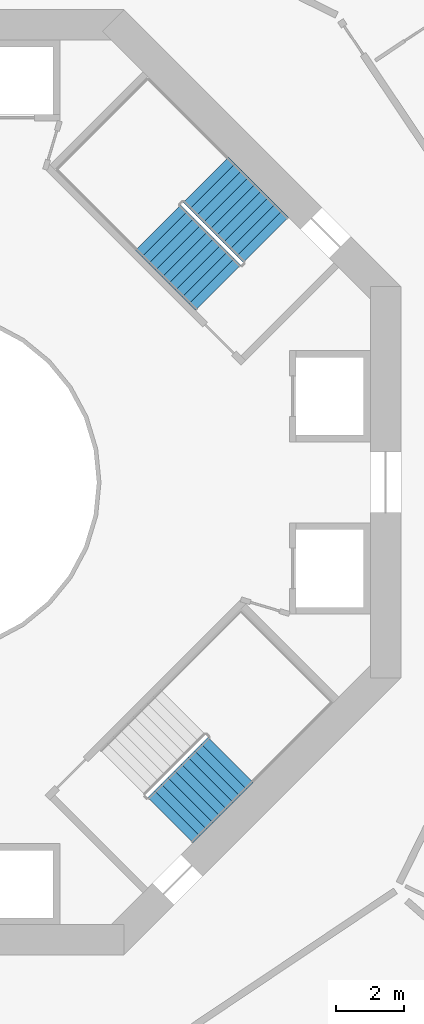
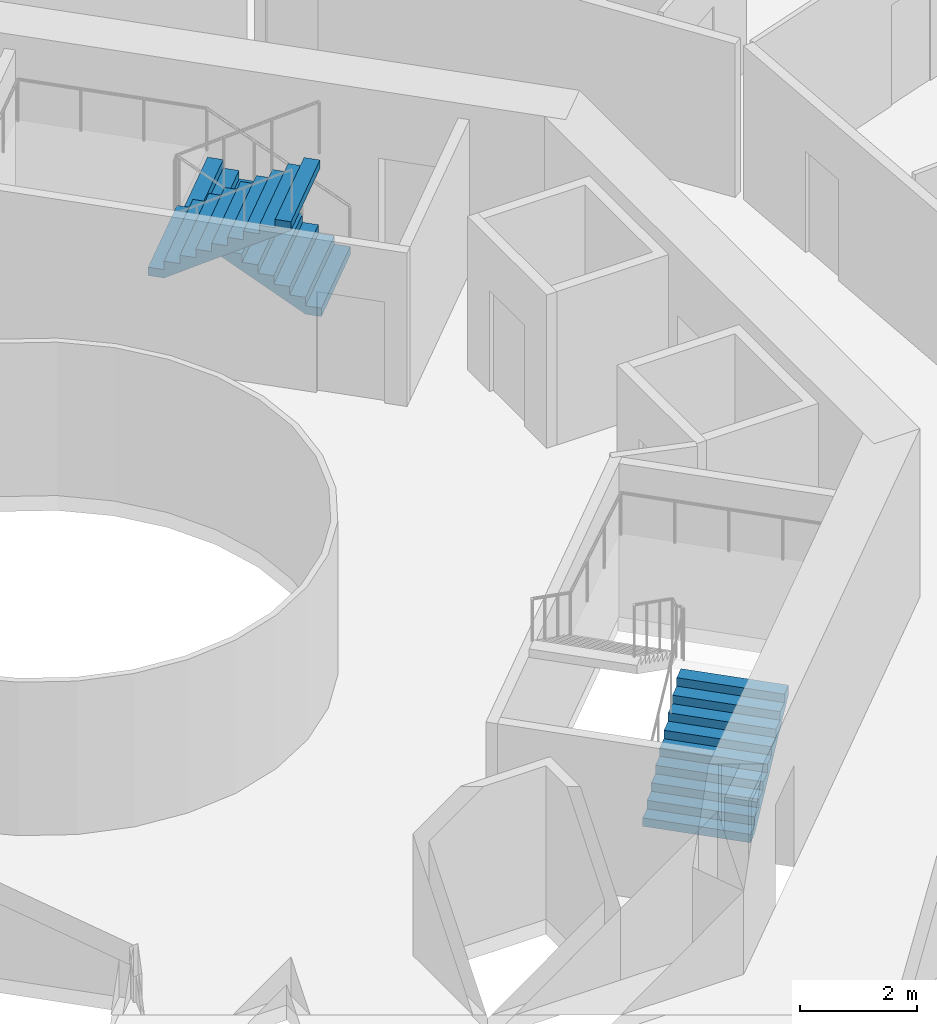
# One storey, part 24 of 25: 3 stair flights, 2 elements without a shape of their own.
"""IFC4 building model written with IfcOpenShell, lengths in metres."""

from ifc_helpers import new_model, si_unit, direction, frame, origin, place, context, subcontext, project, spatial, triangles, material, type_object, element, aggregate, save


model = new_model("IFC4")

# Units and contexts
model_context = context("Model", 3, precision=1e-05, world=origin(), true_north=direction((0.0, 1.0)))
body_context = subcontext(model_context, "Body", "Model", "MODEL_VIEW")
ifc_project = project(units=[si_unit("LENGTHUNIT", "METRE"), si_unit("AREAUNIT", "SQUARE_METRE"), si_unit("VOLUMEUNIT", "CUBIC_METRE"), si_unit("PLANEANGLEUNIT", "RADIAN"), si_unit("MASSUNIT", "GRAM", prefix="KILO")], contexts=[model_context])

# Site, building, storey
site_placement = place(None, origin())
site = spatial("IfcSite", under=ifc_project, at=site_placement, CompositionType="ELEMENT")
building_placement = place(site_placement, origin())
building = spatial("IfcBuilding", under=site, at=building_placement, Name="Verdalira Terraces Hotel", CompositionType="ELEMENT")
storey_placement = place(building_placement, frame((0.0, 0.0, 49.5)))
storey = spatial("IfcBuildingStorey", under=building, at=storey_placement, Name="L10", CompositionType="ELEMENT", Elevation=49.5)

# Stair, stair flights
ifc_material_1 = material(Name="Concrete C40", Category="concrete")
stair_type = type_object("IfcStairType", Name="Core stair 20 risers 1900 mm wide", PredefinedType="HALF_TURN_STAIR", material=ifc_material_1)
stair_1_placement = place(storey_placement, origin())
stair_1 = element("IfcStair", 1, at=stair_1_placement, inside=storey, type_object=stair_type, Name="L10 Exit stair ST1", PredefinedType="HALF_TURN_STAIR")
ifc_material_2 = material(Name="Concrete C40", Category="concrete")
stair_flight_type = type_object("IfcStairFlightType", Name="Core stair flight 20 risers 1900 mm wide", PredefinedType="STRAIGHT", material=ifc_material_2)
stair_flight_1_placement = place(storey_placement, frame((10.005615, 7.177246, 0.0), z_axis=(0.0, 0.0, 1.0), x_axis=(-0.707106781, 0.707106781, 0.0)))
stair_flight_1 = element("IfcStairFlight", 2, at=stair_flight_1_placement, type_object=stair_flight_type, Name="ST1 flight 1", NumberOfRisers=10, NumberOfTreads=9, PredefinedType="STRAIGHT", RiserHeight=0.175, TreadLength=0.28, context=body_context, shape_type="Tessellation", body=[
    triangles([(0.0, 0.949951, 0.0), (0.282715, 0.949951, 0.0), (2.52002, 0.949951, 1.398193), (0.0, -0.949951, 0.0), (0.282715, -0.949951, 0.0), (2.52002, -0.949951, 1.398193), (2.52002, 0.949951, 1.574951), (2.23999, 0.949951, 1.574951), (2.52002, -0.949951, 1.574951), (2.23999, -0.949951, 1.574951), (2.23999, 0.949951, 1.399902), (2.23999, -0.949951, 1.399902), (1.959961, 0.949951, 1.399902), (1.959961, -0.949951, 1.399902), (1.959961, 0.949951, 1.225098), (1.959961, -0.949951, 1.225098), (1.679932, 0.949951, 1.225098), (1.679932, 0.949951, 1.050049), (1.679932, -0.949951, 1.225098), (1.679932, -0.949951, 1.050049), (1.399902, 0.949951, 1.050049), (1.399902, 0.949951, 0.875), (1.399902, -0.949951, 1.050049), (1.399902, -0.949951, 0.875), (1.120117, 0.949951, 0.875), (1.120117, 0.949951, 0.699951), (1.120117, -0.949951, 0.875), (1.120117, -0.949951, 0.699951), (0.840088, 0.949951, 0.699951), (0.840088, 0.949951, 0.524902), (0.840088, -0.949951, 0.699951), (0.840088, -0.949951, 0.524902), (0.560059, 0.949951, 0.524902), (0.560059, 0.949951, 0.350098), (0.560059, -0.949951, 0.524902), (0.560059, -0.949951, 0.350098), (0.280029, 0.949951, 0.350098), (0.280029, 0.949951, 0.175049), (0.280029, -0.949951, 0.350098), (0.280029, -0.949951, 0.175049), (0.0, 0.949951, 0.175049), (0.0, -0.949951, 0.175049), (0.0, -0.890579, 0.0), (0.0, -0.890579, 0.175049), (0.0, -0.831207, 0.0), (0.0, -0.831207, 0.175049), (0.0, -0.771835, 0.0), (0.0, -0.771835, 0.175049), (0.0, -0.712463, 0.0), (0.0, -0.712463, 0.175049), (0.0, -0.653091, 0.0), (0.0, -0.653091, 0.175049), (0.0, -0.593719, 0.0), (0.0, -0.593719, 0.175049), (0.0, -0.534348, 0.0), (0.0, -0.534348, 0.175049), (0.0, -0.474976, 0.0), (0.0, -0.474976, 0.175049), (0.0, -0.415604, 0.0), (0.0, -0.415604, 0.175049), (0.0, -0.356232, 0.0), (0.0, -0.356232, 0.175049), (0.0, -0.29686, 0.0), (0.0, -0.29686, 0.175049), (0.0, -0.237488, 0.0), (0.0, -0.237488, 0.175049), (0.0, -0.178116, 0.0), (0.0, -0.178116, 0.175049), (0.0, -0.118744, 0.0), (0.0, -0.118744, 0.175049), (0.0, -0.059372, 0.0), (0.0, -0.059372, 0.175049), (0.0, 0.0, 0.0), (0.0, 0.0, 0.175049), (0.0, 0.059372, 0.0), (0.0, 0.059372, 0.175049), (0.0, 0.118744, 0.0), (0.0, 0.118744, 0.175049), (0.0, 0.178116, 0.0), (0.0, 0.178116, 0.175049), (0.0, 0.237488, 0.0), (0.0, 0.237488, 0.175049), (0.0, 0.29686, 0.0), (0.0, 0.29686, 0.175049), (0.0, 0.356232, 0.0), (0.0, 0.356232, 0.175049), (0.0, 0.415604, 0.0), (0.0, 0.415604, 0.175049), (0.0, 0.474976, 0.0), (0.0, 0.474976, 0.175049), (0.0, 0.534348, 0.0), (0.0, 0.534348, 0.175049), (0.0, 0.593719, 0.0), (0.0, 0.593719, 0.175049), (0.0, 0.653091, 0.0), (0.0, 0.653091, 0.175049), (0.0, 0.712463, 0.0), (0.0, 0.712463, 0.175049), (0.0, 0.771835, 0.0), (0.0, 0.771835, 0.175049), (0.0, 0.831207, 0.0), (0.0, 0.831207, 0.175049), (0.0, 0.890579, 0.0), (0.0, 0.890579, 0.175049), (2.52002, -0.890579, 1.574951), (2.52002, -0.831207, 1.574951), (2.52002, -0.771835, 1.574951), (2.52002, -0.712463, 1.574951), (2.52002, -0.653091, 1.574951), (2.52002, -0.593719, 1.574951), (2.52002, -0.534348, 1.574951), (2.52002, -0.474976, 1.574951), (2.52002, -0.415604, 1.574951), (2.52002, -0.356232, 1.574951), (2.52002, -0.29686, 1.574951), (2.52002, -0.237488, 1.574951), (2.52002, -0.178116, 1.574951), (2.52002, -0.118744, 1.574951), (2.52002, -0.059372, 1.574951), (2.52002, 0.0, 1.574951), (2.52002, 0.059372, 1.574951), (2.52002, 0.118744, 1.574951), (2.52002, 0.178116, 1.574951), (2.52002, 0.237488, 1.574951), (2.52002, 0.29686, 1.574951), (2.52002, 0.356232, 1.574951), (2.52002, 0.415604, 1.574951), (2.52002, 0.474976, 1.574951), (2.52002, 0.534348, 1.574951), (2.52002, 0.593719, 1.574951), (2.52002, 0.653091, 1.574951), (2.52002, 0.712463, 1.574951), (2.52002, 0.771835, 1.574951), (2.52002, 0.831207, 1.574951), (2.52002, 0.890579, 1.574951), (2.52002, -0.890579, 1.398193), (2.52002, -0.831207, 1.398193), (2.52002, -0.771835, 1.398193), (2.52002, -0.712463, 1.398193), (2.52002, -0.653091, 1.398193), (2.52002, -0.593719, 1.398193), (2.52002, -0.534348, 1.398193), (2.52002, -0.474976, 1.398193), (2.52002, -0.415604, 1.398193), (2.52002, -0.356232, 1.398193), (2.52002, -0.29686, 1.398193), (2.52002, -0.237488, 1.398193), (2.52002, -0.178116, 1.398193), (2.52002, -0.118744, 1.398193), (2.52002, -0.059372, 1.398193), (2.52002, 0.0, 1.398193), (2.52002, 0.059372, 1.398193), (2.52002, 0.118744, 1.398193), (2.52002, 0.178116, 1.398193), (2.52002, 0.237488, 1.398193), (2.52002, 0.29686, 1.398193), (2.52002, 0.356232, 1.398193), (2.52002, 0.415604, 1.398193), (2.52002, 0.474976, 1.398193), (2.52002, 0.534348, 1.398193), (2.52002, 0.593719, 1.398193), (2.52002, 0.653091, 1.398193), (2.52002, 0.712463, 1.398193), (2.52002, 0.771835, 1.398193), (2.52002, 0.831207, 1.398193), (2.52002, 0.890579, 1.398193)], [[1, 3, 2], [4, 5, 6], [3, 8, 7], [6, 9, 10], [3, 11, 8], [6, 10, 12], [3, 13, 11], [6, 12, 14], [3, 15, 13], [6, 14, 16], [15, 18, 17], [16, 19, 20], [3, 18, 15], [6, 16, 20], [18, 22, 21], [20, 23, 24], [3, 22, 18], [6, 20, 24], [22, 26, 25], [24, 27, 28], [3, 26, 22], [6, 24, 28], [26, 30, 29], [28, 31, 32], [3, 30, 26], [6, 28, 32], [1, 30, 3], [4, 6, 32], [30, 34, 33], [32, 35, 36], [34, 38, 37], [36, 39, 40], [30, 38, 34], [32, 36, 40], [1, 38, 30], [4, 32, 40], [38, 1, 41], [40, 42, 4], [4, 44, 43], [4, 42, 44], [43, 46, 45], [43, 44, 46], [45, 48, 47], [45, 46, 48], [47, 50, 49], [47, 48, 50], [49, 52, 51], [49, 50, 52], [51, 54, 53], [51, 52, 54], [53, 56, 55], [53, 54, 56], [55, 58, 57], [55, 56, 58], [57, 60, 59], [57, 58, 60], [59, 62, 61], [59, 60, 62], [61, 64, 63], [61, 62, 64], [63, 66, 65], [63, 64, 66], [65, 68, 67], [65, 66, 68], [67, 70, 69], [67, 68, 70], [69, 72, 71], [69, 70, 72], [71, 74, 73], [71, 72, 74], [73, 76, 75], [73, 74, 76], [75, 78, 77], [75, 76, 78], [77, 80, 79], [77, 78, 80], [79, 82, 81], [79, 80, 82], [81, 84, 83], [81, 82, 84], [83, 86, 85], [83, 84, 86], [85, 88, 87], [85, 86, 88], [87, 90, 89], [87, 88, 90], [89, 92, 91], [89, 90, 92], [91, 94, 93], [91, 92, 94], [93, 96, 95], [93, 94, 96], [95, 98, 97], [95, 96, 98], [97, 100, 99], [97, 98, 100], [99, 102, 101], [99, 100, 102], [101, 104, 103], [101, 102, 104], [103, 41, 1], [103, 104, 41], [42, 40, 44], [44, 40, 46], [46, 40, 48], [48, 40, 50], [50, 40, 52], [52, 40, 54], [54, 40, 56], [56, 40, 58], [58, 40, 60], [60, 40, 62], [62, 40, 64], [64, 40, 66], [66, 40, 68], [68, 40, 70], [70, 40, 72], [72, 40, 74], [74, 40, 76], [76, 40, 78], [78, 40, 80], [80, 40, 82], [82, 40, 84], [84, 40, 86], [86, 40, 88], [88, 40, 90], [90, 40, 92], [92, 40, 94], [94, 40, 96], [96, 40, 98], [98, 40, 100], [100, 40, 102], [102, 40, 104], [104, 40, 41], [41, 40, 38], [40, 37, 38], [40, 39, 37], [39, 34, 37], [39, 36, 34], [36, 33, 34], [36, 35, 33], [35, 30, 33], [35, 32, 30], [32, 29, 30], [32, 31, 29], [31, 26, 29], [31, 28, 26], [28, 25, 26], [28, 27, 25], [27, 22, 25], [27, 24, 22], [24, 21, 22], [24, 23, 21], [23, 18, 21], [23, 20, 18], [20, 17, 18], [20, 19, 17], [19, 15, 17], [19, 16, 15], [16, 13, 15], [16, 14, 13], [14, 11, 13], [14, 12, 11], [12, 8, 11], [12, 10, 8], [9, 105, 10], [105, 106, 10], [106, 107, 10], [107, 108, 10], [108, 109, 10], [109, 110, 10], [110, 111, 10], [111, 112, 10], [112, 113, 10], [113, 114, 10], [114, 115, 10], [115, 116, 10], [116, 117, 10], [117, 118, 10], [118, 119, 10], [119, 120, 10], [120, 121, 10], [121, 122, 10], [122, 123, 10], [123, 124, 10], [124, 125, 10], [125, 126, 10], [126, 127, 10], [127, 128, 10], [128, 129, 10], [129, 130, 10], [130, 131, 10], [131, 132, 10], [132, 133, 10], [133, 134, 10], [134, 135, 10], [135, 7, 10], [7, 8, 10], [9, 136, 105], [9, 6, 136], [105, 137, 106], [105, 136, 137], [106, 138, 107], [106, 137, 138], [107, 139, 108], [107, 138, 139], [108, 140, 109], [108, 139, 140], [109, 141, 110], [109, 140, 141], [110, 142, 111], [110, 141, 142], [111, 143, 112], [111, 142, 143], [112, 144, 113], [112, 143, 144], [113, 145, 114], [113, 144, 145], [114, 146, 115], [114, 145, 146], [115, 147, 116], [115, 146, 147], [116, 148, 117], [116, 147, 148], [117, 149, 118], [117, 148, 149], [118, 150, 119], [118, 149, 150], [119, 151, 120], [119, 150, 151], [120, 152, 121], [120, 151, 152], [121, 153, 122], [121, 152, 153], [122, 154, 123], [122, 153, 154], [123, 155, 124], [123, 154, 155], [124, 156, 125], [124, 155, 156], [125, 157, 126], [125, 156, 157], [126, 158, 127], [126, 157, 158], [127, 159, 128], [127, 158, 159], [128, 160, 129], [128, 159, 160], [129, 161, 130], [129, 160, 161], [130, 162, 131], [130, 161, 162], [131, 163, 132], [131, 162, 163], [132, 164, 133], [132, 163, 164], [133, 165, 134], [133, 164, 165], [134, 166, 135], [134, 165, 166], [135, 3, 7], [135, 166, 3], [6, 5, 136], [136, 5, 137], [137, 5, 138], [138, 5, 139], [139, 5, 140], [140, 5, 141], [141, 5, 142], [142, 5, 143], [143, 5, 144], [144, 5, 145], [145, 5, 146], [146, 5, 147], [147, 5, 148], [148, 5, 149], [149, 5, 150], [150, 5, 151], [151, 5, 152], [152, 5, 153], [153, 5, 154], [154, 5, 155], [155, 5, 156], [156, 5, 157], [157, 5, 158], [158, 5, 159], [159, 5, 160], [160, 5, 161], [161, 5, 162], [162, 5, 163], [163, 5, 164], [164, 5, 165], [165, 5, 166], [166, 5, 3], [3, 5, 2], [4, 43, 5], [43, 45, 5], [45, 47, 5], [47, 49, 5], [49, 51, 5], [51, 53, 5], [53, 55, 5], [55, 57, 5], [57, 59, 5], [59, 61, 5], [61, 63, 5], [63, 65, 5], [65, 67, 5], [67, 69, 5], [69, 71, 5], [71, 73, 5], [73, 75, 5], [75, 77, 5], [77, 79, 5], [79, 81, 5], [81, 83, 5], [83, 85, 5], [85, 87, 5], [87, 89, 5], [89, 91, 5], [91, 93, 5], [93, 95, 5], [95, 97, 5], [97, 99, 5], [99, 101, 5], [101, 103, 5], [103, 1, 5], [1, 2, 5]], closed=True),
])
stair_flight_2_placement = place(storey_placement, frame((6.809326, 7.544922, 1.75), z_axis=(0.0, 0.0, 1.0), x_axis=(0.707106781, -0.707106781, 0.0)))
stair_flight_2 = element("IfcStairFlight", 3, at=stair_flight_2_placement, type_object=stair_flight_type, Name="ST1 flight 2", NumberOfRisers=10, NumberOfTreads=9, PredefinedType="STRAIGHT", RiserHeight=0.175, TreadLength=0.28, context=body_context, shape_type="Tessellation", body=[
    triangles([(0.0, 0.949951, 0.0), (0.282715, 0.949951, 0.0), (2.52002, 0.949951, 1.398193), (0.0, -0.949951, 0.0), (0.282715, -0.949951, 0.0), (2.52002, -0.949951, 1.398193), (2.52002, 0.949951, 1.574951), (2.23999, 0.949951, 1.574951), (2.52002, -0.949951, 1.574951), (2.23999, -0.949951, 1.574951), (2.23999, 0.949951, 1.399902), (2.23999, -0.949951, 1.399902), (1.959961, 0.949951, 1.399902), (1.959961, -0.949951, 1.399902), (1.959961, 0.949951, 1.225098), (1.959961, -0.949951, 1.225098), (1.679932, 0.949951, 1.225098), (1.679932, 0.949951, 1.050049), (1.679932, -0.949951, 1.225098), (1.679932, -0.949951, 1.050049), (1.399902, 0.949951, 1.050049), (1.399902, 0.949951, 0.875), (1.399902, -0.949951, 1.050049), (1.399902, -0.949951, 0.875), (1.120117, 0.949951, 0.875), (1.120117, 0.949951, 0.699951), (1.120117, -0.949951, 0.875), (1.120117, -0.949951, 0.699951), (0.840088, 0.949951, 0.699951), (0.840088, 0.949951, 0.524902), (0.840088, -0.949951, 0.699951), (0.840088, -0.949951, 0.524902), (0.560059, 0.949951, 0.524902), (0.560059, 0.949951, 0.350098), (0.560059, -0.949951, 0.524902), (0.560059, -0.949951, 0.350098), (0.280029, 0.949951, 0.350098), (0.280029, 0.949951, 0.175049), (0.280029, -0.949951, 0.350098), (0.280029, -0.949951, 0.175049), (0.0, 0.949951, 0.175049), (0.0, -0.949951, 0.175049), (0.0, -0.890579, 0.0), (0.0, -0.890579, 0.175049), (0.0, -0.831207, 0.0), (0.0, -0.831207, 0.175049), (0.0, -0.771835, 0.0), (0.0, -0.771835, 0.175049), (0.0, -0.712463, 0.0), (0.0, -0.712463, 0.175049), (0.0, -0.653091, 0.0), (0.0, -0.653091, 0.175049), (0.0, -0.593719, 0.0), (0.0, -0.593719, 0.175049), (0.0, -0.534348, 0.0), (0.0, -0.534348, 0.175049), (0.0, -0.474976, 0.0), (0.0, -0.474976, 0.175049), (0.0, -0.415604, 0.0), (0.0, -0.415604, 0.175049), (0.0, -0.356232, 0.0), (0.0, -0.356232, 0.175049), (0.0, -0.29686, 0.0), (0.0, -0.29686, 0.175049), (0.0, -0.237488, 0.0), (0.0, -0.237488, 0.175049), (0.0, -0.178116, 0.0), (0.0, -0.178116, 0.175049), (0.0, -0.118744, 0.0), (0.0, -0.118744, 0.175049), (0.0, -0.059372, 0.0), (0.0, -0.059372, 0.175049), (0.0, 0.0, 0.0), (0.0, 0.0, 0.175049), (0.0, 0.059372, 0.0), (0.0, 0.059372, 0.175049), (0.0, 0.118744, 0.0), (0.0, 0.118744, 0.175049), (0.0, 0.178116, 0.0), (0.0, 0.178116, 0.175049), (0.0, 0.237488, 0.0), (0.0, 0.237488, 0.175049), (0.0, 0.29686, 0.0), (0.0, 0.29686, 0.175049), (0.0, 0.356232, 0.0), (0.0, 0.356232, 0.175049), (0.0, 0.415604, 0.0), (0.0, 0.415604, 0.175049), (0.0, 0.474976, 0.0), (0.0, 0.474976, 0.175049), (0.0, 0.534348, 0.0), (0.0, 0.534348, 0.175049), (0.0, 0.593719, 0.0), (0.0, 0.593719, 0.175049), (0.0, 0.653091, 0.0), (0.0, 0.653091, 0.175049), (0.0, 0.712463, 0.0), (0.0, 0.712463, 0.175049), (0.0, 0.771835, 0.0), (0.0, 0.771835, 0.175049), (0.0, 0.831207, 0.0), (0.0, 0.831207, 0.175049), (0.0, 0.890579, 0.0), (0.0, 0.890579, 0.175049), (2.52002, -0.890579, 1.574951), (2.52002, -0.831207, 1.574951), (2.52002, -0.771835, 1.574951), (2.52002, -0.712463, 1.574951), (2.52002, -0.653091, 1.574951), (2.52002, -0.593719, 1.574951), (2.52002, -0.534348, 1.574951), (2.52002, -0.474976, 1.574951), (2.52002, -0.415604, 1.574951), (2.52002, -0.356232, 1.574951), (2.52002, -0.29686, 1.574951), (2.52002, -0.237488, 1.574951), (2.52002, -0.178116, 1.574951), (2.52002, -0.118744, 1.574951), (2.52002, -0.059372, 1.574951), (2.52002, 0.0, 1.574951), (2.52002, 0.059372, 1.574951), (2.52002, 0.118744, 1.574951), (2.52002, 0.178116, 1.574951), (2.52002, 0.237488, 1.574951), (2.52002, 0.29686, 1.574951), (2.52002, 0.356232, 1.574951), (2.52002, 0.415604, 1.574951), (2.52002, 0.474976, 1.574951), (2.52002, 0.534348, 1.574951), (2.52002, 0.593719, 1.574951), (2.52002, 0.653091, 1.574951), (2.52002, 0.712463, 1.574951), (2.52002, 0.771835, 1.574951), (2.52002, 0.831207, 1.574951), (2.52002, 0.890579, 1.574951), (2.52002, -0.890579, 1.398193), (2.52002, -0.831207, 1.398193), (2.52002, -0.771835, 1.398193), (2.52002, -0.712463, 1.398193), (2.52002, -0.653091, 1.398193), (2.52002, -0.593719, 1.398193), (2.52002, -0.534348, 1.398193), (2.52002, -0.474976, 1.398193), (2.52002, -0.415604, 1.398193), (2.52002, -0.356232, 1.398193), (2.52002, -0.29686, 1.398193), (2.52002, -0.237488, 1.398193), (2.52002, -0.178116, 1.398193), (2.52002, -0.118744, 1.398193), (2.52002, -0.059372, 1.398193), (2.52002, 0.0, 1.398193), (2.52002, 0.059372, 1.398193), (2.52002, 0.118744, 1.398193), (2.52002, 0.178116, 1.398193), (2.52002, 0.237488, 1.398193), (2.52002, 0.29686, 1.398193), (2.52002, 0.356232, 1.398193), (2.52002, 0.415604, 1.398193), (2.52002, 0.474976, 1.398193), (2.52002, 0.534348, 1.398193), (2.52002, 0.593719, 1.398193), (2.52002, 0.653091, 1.398193), (2.52002, 0.712463, 1.398193), (2.52002, 0.771835, 1.398193), (2.52002, 0.831207, 1.398193), (2.52002, 0.890579, 1.398193)], [[1, 3, 2], [4, 5, 6], [3, 8, 7], [6, 9, 10], [3, 11, 8], [6, 10, 12], [3, 13, 11], [6, 12, 14], [3, 15, 13], [6, 14, 16], [15, 18, 17], [16, 19, 20], [3, 18, 15], [6, 16, 20], [18, 22, 21], [20, 23, 24], [3, 22, 18], [6, 20, 24], [22, 26, 25], [24, 27, 28], [3, 26, 22], [6, 24, 28], [26, 30, 29], [28, 31, 32], [3, 30, 26], [6, 28, 32], [1, 30, 3], [4, 6, 32], [30, 34, 33], [32, 35, 36], [34, 38, 37], [36, 39, 40], [30, 38, 34], [32, 36, 40], [1, 38, 30], [4, 32, 40], [38, 1, 41], [40, 42, 4], [4, 44, 43], [4, 42, 44], [43, 46, 45], [43, 44, 46], [45, 48, 47], [45, 46, 48], [47, 50, 49], [47, 48, 50], [49, 52, 51], [49, 50, 52], [51, 54, 53], [51, 52, 54], [53, 56, 55], [53, 54, 56], [55, 58, 57], [55, 56, 58], [57, 60, 59], [57, 58, 60], [59, 62, 61], [59, 60, 62], [61, 64, 63], [61, 62, 64], [63, 66, 65], [63, 64, 66], [65, 68, 67], [65, 66, 68], [67, 70, 69], [67, 68, 70], [69, 72, 71], [69, 70, 72], [71, 74, 73], [71, 72, 74], [73, 76, 75], [73, 74, 76], [75, 78, 77], [75, 76, 78], [77, 80, 79], [77, 78, 80], [79, 82, 81], [79, 80, 82], [81, 84, 83], [81, 82, 84], [83, 86, 85], [83, 84, 86], [85, 88, 87], [85, 86, 88], [87, 90, 89], [87, 88, 90], [89, 92, 91], [89, 90, 92], [91, 94, 93], [91, 92, 94], [93, 96, 95], [93, 94, 96], [95, 98, 97], [95, 96, 98], [97, 100, 99], [97, 98, 100], [99, 102, 101], [99, 100, 102], [101, 104, 103], [101, 102, 104], [103, 41, 1], [103, 104, 41], [42, 40, 44], [44, 40, 46], [46, 40, 48], [48, 40, 50], [50, 40, 52], [52, 40, 54], [54, 40, 56], [56, 40, 58], [58, 40, 60], [60, 40, 62], [62, 40, 64], [64, 40, 66], [66, 40, 68], [68, 40, 70], [70, 40, 72], [72, 40, 74], [74, 40, 76], [76, 40, 78], [78, 40, 80], [80, 40, 82], [82, 40, 84], [84, 40, 86], [86, 40, 88], [88, 40, 90], [90, 40, 92], [92, 40, 94], [94, 40, 96], [96, 40, 98], [98, 40, 100], [100, 40, 102], [102, 40, 104], [104, 40, 41], [41, 40, 38], [40, 37, 38], [40, 39, 37], [39, 34, 37], [39, 36, 34], [36, 33, 34], [36, 35, 33], [35, 30, 33], [35, 32, 30], [32, 29, 30], [32, 31, 29], [31, 26, 29], [31, 28, 26], [28, 25, 26], [28, 27, 25], [27, 22, 25], [27, 24, 22], [24, 21, 22], [24, 23, 21], [23, 18, 21], [23, 20, 18], [20, 17, 18], [20, 19, 17], [19, 15, 17], [19, 16, 15], [16, 13, 15], [16, 14, 13], [14, 11, 13], [14, 12, 11], [12, 8, 11], [12, 10, 8], [9, 105, 10], [105, 106, 10], [106, 107, 10], [107, 108, 10], [108, 109, 10], [109, 110, 10], [110, 111, 10], [111, 112, 10], [112, 113, 10], [113, 114, 10], [114, 115, 10], [115, 116, 10], [116, 117, 10], [117, 118, 10], [118, 119, 10], [119, 120, 10], [120, 121, 10], [121, 122, 10], [122, 123, 10], [123, 124, 10], [124, 125, 10], [125, 126, 10], [126, 127, 10], [127, 128, 10], [128, 129, 10], [129, 130, 10], [130, 131, 10], [131, 132, 10], [132, 133, 10], [133, 134, 10], [134, 135, 10], [135, 7, 10], [7, 8, 10], [9, 136, 105], [9, 6, 136], [105, 137, 106], [105, 136, 137], [106, 138, 107], [106, 137, 138], [107, 139, 108], [107, 138, 139], [108, 140, 109], [108, 139, 140], [109, 141, 110], [109, 140, 141], [110, 142, 111], [110, 141, 142], [111, 143, 112], [111, 142, 143], [112, 144, 113], [112, 143, 144], [113, 145, 114], [113, 144, 145], [114, 146, 115], [114, 145, 146], [115, 147, 116], [115, 146, 147], [116, 148, 117], [116, 147, 148], [117, 149, 118], [117, 148, 149], [118, 150, 119], [118, 149, 150], [119, 151, 120], [119, 150, 151], [120, 152, 121], [120, 151, 152], [121, 153, 122], [121, 152, 153], [122, 154, 123], [122, 153, 154], [123, 155, 124], [123, 154, 155], [124, 156, 125], [124, 155, 156], [125, 157, 126], [125, 156, 157], [126, 158, 127], [126, 157, 158], [127, 159, 128], [127, 158, 159], [128, 160, 129], [128, 159, 160], [129, 161, 130], [129, 160, 161], [130, 162, 131], [130, 161, 162], [131, 163, 132], [131, 162, 163], [132, 164, 133], [132, 163, 164], [133, 165, 134], [133, 164, 165], [134, 166, 135], [134, 165, 166], [135, 3, 7], [135, 166, 3], [6, 5, 136], [136, 5, 137], [137, 5, 138], [138, 5, 139], [139, 5, 140], [140, 5, 141], [141, 5, 142], [142, 5, 143], [143, 5, 144], [144, 5, 145], [145, 5, 146], [146, 5, 147], [147, 5, 148], [148, 5, 149], [149, 5, 150], [150, 5, 151], [151, 5, 152], [152, 5, 153], [153, 5, 154], [154, 5, 155], [155, 5, 156], [156, 5, 157], [157, 5, 158], [158, 5, 159], [159, 5, 160], [160, 5, 161], [161, 5, 162], [162, 5, 163], [163, 5, 164], [164, 5, 165], [165, 5, 166], [166, 5, 3], [3, 5, 2], [4, 43, 5], [43, 45, 5], [45, 47, 5], [47, 49, 5], [49, 51, 5], [51, 53, 5], [53, 55, 5], [55, 57, 5], [57, 59, 5], [59, 61, 5], [61, 63, 5], [63, 65, 5], [65, 67, 5], [67, 69, 5], [69, 71, 5], [71, 73, 5], [73, 75, 5], [75, 77, 5], [77, 79, 5], [79, 81, 5], [81, 83, 5], [83, 85, 5], [85, 87, 5], [87, 89, 5], [89, 91, 5], [91, 93, 5], [93, 95, 5], [95, 97, 5], [97, 99, 5], [99, 101, 5], [101, 103, 5], [103, 1, 5], [1, 2, 5]], closed=True),
])
aggregate(stair_1, [stair_flight_1, stair_flight_2])

# Stair, stair flight
stair_2_placement = place(storey_placement, origin())
stair_2 = element("IfcStair", 4, at=stair_2_placement, inside=storey, type_object=stair_type, Name="L10 Exit stair ST3", PredefinedType="HALF_TURN_STAIR")
stair_flight_3_placement = place(storey_placement, frame((7.177246, -10.005615, 0.0), z_axis=(0.0, 0.0, 1.0), x_axis=(0.707106781, 0.707106781, 0.0)))
stair_flight_3 = element("IfcStairFlight", 5, at=stair_flight_3_placement, type_object=stair_flight_type, Name="ST3 flight 1", NumberOfRisers=10, NumberOfTreads=9, PredefinedType="STRAIGHT", RiserHeight=0.175, TreadLength=0.28, context=body_context, shape_type="Tessellation", body=[
    triangles([(0.0, 0.949951, 0.0), (0.282715, 0.949951, 0.0), (2.52002, 0.949951, 1.398193), (0.0, -0.949951, 0.0), (0.282715, -0.949951, 0.0), (2.52002, -0.949951, 1.398193), (2.52002, 0.949951, 1.574951), (2.23999, 0.949951, 1.574951), (2.52002, -0.949951, 1.574951), (2.23999, -0.949951, 1.574951), (2.23999, 0.949951, 1.399902), (2.23999, -0.949951, 1.399902), (1.959961, 0.949951, 1.399902), (1.959961, -0.949951, 1.399902), (1.959961, 0.949951, 1.225098), (1.959961, -0.949951, 1.225098), (1.679932, 0.949951, 1.225098), (1.679932, 0.949951, 1.050049), (1.679932, -0.949951, 1.225098), (1.679932, -0.949951, 1.050049), (1.399902, 0.949951, 1.050049), (1.399902, 0.949951, 0.875), (1.399902, -0.949951, 1.050049), (1.399902, -0.949951, 0.875), (1.120117, 0.949951, 0.875), (1.120117, 0.949951, 0.699951), (1.120117, -0.949951, 0.875), (1.120117, -0.949951, 0.699951), (0.840088, 0.949951, 0.699951), (0.840088, 0.949951, 0.524902), (0.840088, -0.949951, 0.699951), (0.840088, -0.949951, 0.524902), (0.560059, 0.949951, 0.524902), (0.560059, 0.949951, 0.350098), (0.560059, -0.949951, 0.524902), (0.560059, -0.949951, 0.350098), (0.280029, 0.949951, 0.350098), (0.280029, 0.949951, 0.175049), (0.280029, -0.949951, 0.350098), (0.280029, -0.949951, 0.175049), (0.0, 0.949951, 0.175049), (0.0, -0.949951, 0.175049), (0.0, -0.890579, 0.0), (0.0, -0.890579, 0.175049), (0.0, -0.831207, 0.0), (0.0, -0.831207, 0.175049), (0.0, -0.771835, 0.0), (0.0, -0.771835, 0.175049), (0.0, -0.712463, 0.0), (0.0, -0.712463, 0.175049), (0.0, -0.653091, 0.0), (0.0, -0.653091, 0.175049), (0.0, -0.593719, 0.0), (0.0, -0.593719, 0.175049), (0.0, -0.534348, 0.0), (0.0, -0.534348, 0.175049), (0.0, -0.474976, 0.0), (0.0, -0.474976, 0.175049), (0.0, -0.415604, 0.0), (0.0, -0.415604, 0.175049), (0.0, -0.356232, 0.0), (0.0, -0.356232, 0.175049), (0.0, -0.29686, 0.0), (0.0, -0.29686, 0.175049), (0.0, -0.237488, 0.0), (0.0, -0.237488, 0.175049), (0.0, -0.178116, 0.0), (0.0, -0.178116, 0.175049), (0.0, -0.118744, 0.0), (0.0, -0.118744, 0.175049), (0.0, -0.059372, 0.0), (0.0, -0.059372, 0.175049), (0.0, 0.0, 0.0), (0.0, 0.0, 0.175049), (0.0, 0.059372, 0.0), (0.0, 0.059372, 0.175049), (0.0, 0.118744, 0.0), (0.0, 0.118744, 0.175049), (0.0, 0.178116, 0.0), (0.0, 0.178116, 0.175049), (0.0, 0.237488, 0.0), (0.0, 0.237488, 0.175049), (0.0, 0.29686, 0.0), (0.0, 0.29686, 0.175049), (0.0, 0.356232, 0.0), (0.0, 0.356232, 0.175049), (0.0, 0.415604, 0.0), (0.0, 0.415604, 0.175049), (0.0, 0.474976, 0.0), (0.0, 0.474976, 0.175049), (0.0, 0.534348, 0.0), (0.0, 0.534348, 0.175049), (0.0, 0.593719, 0.0), (0.0, 0.593719, 0.175049), (0.0, 0.653091, 0.0), (0.0, 0.653091, 0.175049), (0.0, 0.712463, 0.0), (0.0, 0.712463, 0.175049), (0.0, 0.771835, 0.0), (0.0, 0.771835, 0.175049), (0.0, 0.831207, 0.0), (0.0, 0.831207, 0.175049), (0.0, 0.890579, 0.0), (0.0, 0.890579, 0.175049), (2.52002, -0.890579, 1.574951), (2.52002, -0.831207, 1.574951), (2.52002, -0.771835, 1.574951), (2.52002, -0.712463, 1.574951), (2.52002, -0.653091, 1.574951), (2.52002, -0.593719, 1.574951), (2.52002, -0.534348, 1.574951), (2.52002, -0.474976, 1.574951), (2.52002, -0.415604, 1.574951), (2.52002, -0.356232, 1.574951), (2.52002, -0.29686, 1.574951), (2.52002, -0.237488, 1.574951), (2.52002, -0.178116, 1.574951), (2.52002, -0.118744, 1.574951), (2.52002, -0.059372, 1.574951), (2.52002, 0.0, 1.574951), (2.52002, 0.059372, 1.574951), (2.52002, 0.118744, 1.574951), (2.52002, 0.178116, 1.574951), (2.52002, 0.237488, 1.574951), (2.52002, 0.29686, 1.574951), (2.52002, 0.356232, 1.574951), (2.52002, 0.415604, 1.574951), (2.52002, 0.474976, 1.574951), (2.52002, 0.534348, 1.574951), (2.52002, 0.593719, 1.574951), (2.52002, 0.653091, 1.574951), (2.52002, 0.712463, 1.574951), (2.52002, 0.771835, 1.574951), (2.52002, 0.831207, 1.574951), (2.52002, 0.890579, 1.574951), (2.52002, -0.890579, 1.398193), (2.52002, -0.831207, 1.398193), (2.52002, -0.771835, 1.398193), (2.52002, -0.712463, 1.398193), (2.52002, -0.653091, 1.398193), (2.52002, -0.593719, 1.398193), (2.52002, -0.534348, 1.398193), (2.52002, -0.474976, 1.398193), (2.52002, -0.415604, 1.398193), (2.52002, -0.356232, 1.398193), (2.52002, -0.29686, 1.398193), (2.52002, -0.237488, 1.398193), (2.52002, -0.178116, 1.398193), (2.52002, -0.118744, 1.398193), (2.52002, -0.059372, 1.398193), (2.52002, 0.0, 1.398193), (2.52002, 0.059372, 1.398193), (2.52002, 0.118744, 1.398193), (2.52002, 0.178116, 1.398193), (2.52002, 0.237488, 1.398193), (2.52002, 0.29686, 1.398193), (2.52002, 0.356232, 1.398193), (2.52002, 0.415604, 1.398193), (2.52002, 0.474976, 1.398193), (2.52002, 0.534348, 1.398193), (2.52002, 0.593719, 1.398193), (2.52002, 0.653091, 1.398193), (2.52002, 0.712463, 1.398193), (2.52002, 0.771835, 1.398193), (2.52002, 0.831207, 1.398193), (2.52002, 0.890579, 1.398193)], [[1, 3, 2], [4, 5, 6], [3, 8, 7], [6, 9, 10], [3, 11, 8], [6, 10, 12], [3, 13, 11], [6, 12, 14], [3, 15, 13], [6, 14, 16], [15, 18, 17], [16, 19, 20], [3, 18, 15], [6, 16, 20], [18, 22, 21], [20, 23, 24], [3, 22, 18], [6, 20, 24], [22, 26, 25], [24, 27, 28], [3, 26, 22], [6, 24, 28], [26, 30, 29], [28, 31, 32], [3, 30, 26], [6, 28, 32], [1, 30, 3], [4, 6, 32], [30, 34, 33], [32, 35, 36], [34, 38, 37], [36, 39, 40], [30, 38, 34], [32, 36, 40], [1, 38, 30], [4, 32, 40], [38, 1, 41], [40, 42, 4], [4, 44, 43], [4, 42, 44], [43, 46, 45], [43, 44, 46], [45, 48, 47], [45, 46, 48], [47, 50, 49], [47, 48, 50], [49, 52, 51], [49, 50, 52], [51, 54, 53], [51, 52, 54], [53, 56, 55], [53, 54, 56], [55, 58, 57], [55, 56, 58], [57, 60, 59], [57, 58, 60], [59, 62, 61], [59, 60, 62], [61, 64, 63], [61, 62, 64], [63, 66, 65], [63, 64, 66], [65, 68, 67], [65, 66, 68], [67, 70, 69], [67, 68, 70], [69, 72, 71], [69, 70, 72], [71, 74, 73], [71, 72, 74], [73, 76, 75], [73, 74, 76], [75, 78, 77], [75, 76, 78], [77, 80, 79], [77, 78, 80], [79, 82, 81], [79, 80, 82], [81, 84, 83], [81, 82, 84], [83, 86, 85], [83, 84, 86], [85, 88, 87], [85, 86, 88], [87, 90, 89], [87, 88, 90], [89, 92, 91], [89, 90, 92], [91, 94, 93], [91, 92, 94], [93, 96, 95], [93, 94, 96], [95, 98, 97], [95, 96, 98], [97, 100, 99], [97, 98, 100], [99, 102, 101], [99, 100, 102], [101, 104, 103], [101, 102, 104], [103, 41, 1], [103, 104, 41], [42, 40, 44], [44, 40, 46], [46, 40, 48], [48, 40, 50], [50, 40, 52], [52, 40, 54], [54, 40, 56], [56, 40, 58], [58, 40, 60], [60, 40, 62], [62, 40, 64], [64, 40, 66], [66, 40, 68], [68, 40, 70], [70, 40, 72], [72, 40, 74], [74, 40, 76], [76, 40, 78], [78, 40, 80], [80, 40, 82], [82, 40, 84], [84, 40, 86], [86, 40, 88], [88, 40, 90], [90, 40, 92], [92, 40, 94], [94, 40, 96], [96, 40, 98], [98, 40, 100], [100, 40, 102], [102, 40, 104], [104, 40, 41], [41, 40, 38], [40, 37, 38], [40, 39, 37], [39, 34, 37], [39, 36, 34], [36, 33, 34], [36, 35, 33], [35, 30, 33], [35, 32, 30], [32, 29, 30], [32, 31, 29], [31, 26, 29], [31, 28, 26], [28, 25, 26], [28, 27, 25], [27, 22, 25], [27, 24, 22], [24, 21, 22], [24, 23, 21], [23, 18, 21], [23, 20, 18], [20, 17, 18], [20, 19, 17], [19, 15, 17], [19, 16, 15], [16, 13, 15], [16, 14, 13], [14, 11, 13], [14, 12, 11], [12, 8, 11], [12, 10, 8], [9, 105, 10], [105, 106, 10], [106, 107, 10], [107, 108, 10], [108, 109, 10], [109, 110, 10], [110, 111, 10], [111, 112, 10], [112, 113, 10], [113, 114, 10], [114, 115, 10], [115, 116, 10], [116, 117, 10], [117, 118, 10], [118, 119, 10], [119, 120, 10], [120, 121, 10], [121, 122, 10], [122, 123, 10], [123, 124, 10], [124, 125, 10], [125, 126, 10], [126, 127, 10], [127, 128, 10], [128, 129, 10], [129, 130, 10], [130, 131, 10], [131, 132, 10], [132, 133, 10], [133, 134, 10], [134, 135, 10], [135, 7, 10], [7, 8, 10], [9, 136, 105], [9, 6, 136], [105, 137, 106], [105, 136, 137], [106, 138, 107], [106, 137, 138], [107, 139, 108], [107, 138, 139], [108, 140, 109], [108, 139, 140], [109, 141, 110], [109, 140, 141], [110, 142, 111], [110, 141, 142], [111, 143, 112], [111, 142, 143], [112, 144, 113], [112, 143, 144], [113, 145, 114], [113, 144, 145], [114, 146, 115], [114, 145, 146], [115, 147, 116], [115, 146, 147], [116, 148, 117], [116, 147, 148], [117, 149, 118], [117, 148, 149], [118, 150, 119], [118, 149, 150], [119, 151, 120], [119, 150, 151], [120, 152, 121], [120, 151, 152], [121, 153, 122], [121, 152, 153], [122, 154, 123], [122, 153, 154], [123, 155, 124], [123, 154, 155], [124, 156, 125], [124, 155, 156], [125, 157, 126], [125, 156, 157], [126, 158, 127], [126, 157, 158], [127, 159, 128], [127, 158, 159], [128, 160, 129], [128, 159, 160], [129, 161, 130], [129, 160, 161], [130, 162, 131], [130, 161, 162], [131, 163, 132], [131, 162, 163], [132, 164, 133], [132, 163, 164], [133, 165, 134], [133, 164, 165], [134, 166, 135], [134, 165, 166], [135, 3, 7], [135, 166, 3], [6, 5, 136], [136, 5, 137], [137, 5, 138], [138, 5, 139], [139, 5, 140], [140, 5, 141], [141, 5, 142], [142, 5, 143], [143, 5, 144], [144, 5, 145], [145, 5, 146], [146, 5, 147], [147, 5, 148], [148, 5, 149], [149, 5, 150], [150, 5, 151], [151, 5, 152], [152, 5, 153], [153, 5, 154], [154, 5, 155], [155, 5, 156], [156, 5, 157], [157, 5, 158], [158, 5, 159], [159, 5, 160], [160, 5, 161], [161, 5, 162], [162, 5, 163], [163, 5, 164], [164, 5, 165], [165, 5, 166], [166, 5, 3], [3, 5, 2], [4, 43, 5], [43, 45, 5], [45, 47, 5], [47, 49, 5], [49, 51, 5], [51, 53, 5], [53, 55, 5], [55, 57, 5], [57, 59, 5], [59, 61, 5], [61, 63, 5], [63, 65, 5], [65, 67, 5], [67, 69, 5], [69, 71, 5], [71, 73, 5], [73, 75, 5], [75, 77, 5], [77, 79, 5], [79, 81, 5], [81, 83, 5], [83, 85, 5], [85, 87, 5], [87, 89, 5], [89, 91, 5], [91, 93, 5], [93, 95, 5], [95, 97, 5], [97, 99, 5], [99, 101, 5], [101, 103, 5], [103, 1, 5], [1, 2, 5]], closed=True),
])
aggregate(stair_2, [stair_flight_3])

save(model, "model.ifc")
